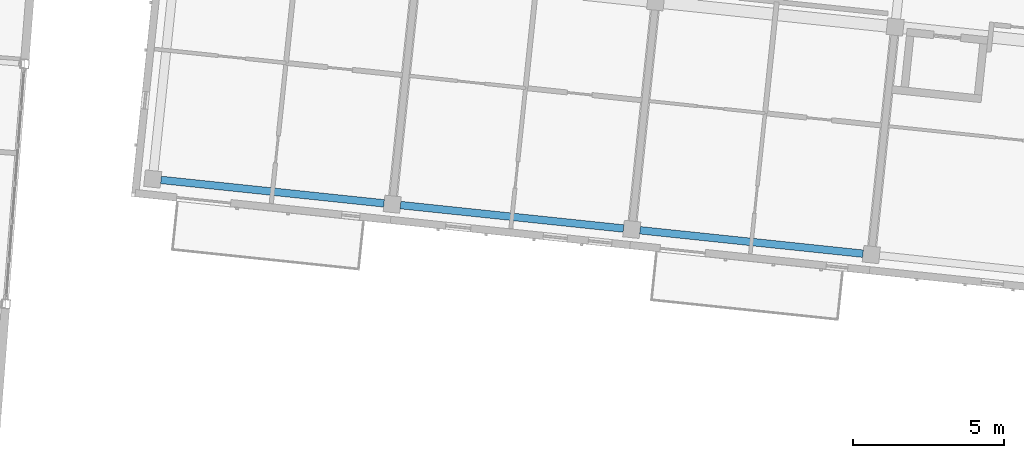
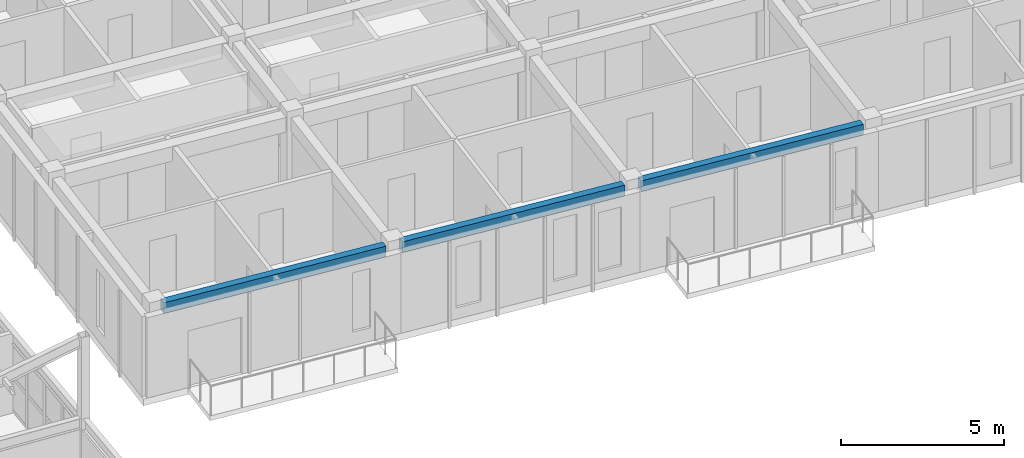
# One storey, part 43 of 127: 3 beams.
"""IFC4 building model written with IfcOpenShell, lengths in metres."""

from ifc_helpers import new_model, si_unit, direction, frame, origin, origin_2d, place, context, subcontext, project, spatial, rectangle, extrude, material, material_profile, profile_set, type_object, element, save


model = new_model("IFC4")

# Units and contexts
model_context = context("Model", 3, precision=1e-05, world=origin(), true_north=direction((0.0, 1.0)))
body_context = subcontext(model_context, "Body", "Model", "MODEL_VIEW")
ifc_project = project(units=[si_unit("LENGTHUNIT", "METRE"), si_unit("AREAUNIT", "SQUARE_METRE"), si_unit("VOLUMEUNIT", "CUBIC_METRE"), si_unit("PLANEANGLEUNIT", "RADIAN"), si_unit("MASSUNIT", "GRAM", prefix="KILO")], contexts=[model_context])

# Site, building, storey
site_placement = place(None, origin())
site = spatial("IfcSite", under=ifc_project, at=site_placement, CompositionType="ELEMENT")
building_placement = place(site_placement, origin())
building = spatial("IfcBuilding", under=site, at=building_placement, Name="Kestramere Prow Commons", CompositionType="ELEMENT")
storey_placement = place(building_placement, frame((0.0, 0.0, 8.39990234375)))
storey = spatial("IfcBuildingStorey", under=building, at=storey_placement, Name="L02", CompositionType="ELEMENT", Elevation=8.39990234375)

# Beams
ifc_material = material(Name="Precast concrete C40/50", Category="concrete")
ifc_material_profile = material_profile(ifc_material, rectangle(XDim=0.25, YDim=0.39990234375, at=origin_2d()), Name="PC-SP 250x400")
ifc_profile_set = profile_set([ifc_material_profile], Name="Precast concrete C40/50")
beam_type = type_object("IfcBeamType", Name="SP-EXT-01 PC-SP 250x400", PredefinedType="SPANDREL", material=ifc_profile_set)
for number, where, z_axis, x_axis, name in (
    (1, (110.2734375, 94.771240234375, 2.800048828125), (0.994520884665, -0.104538079019, 0.0), (0.104538079019, 0.994520884665, 0.0), "Block B L02 Longitudinal Beam 1-1"),
    (2, (118.229736328125, 93.93505859375, 2.800048828125), (0.994520884665, -0.104538079019, 0.0), (0.104538079019, 0.994520884665, 0.0), "Block B L02 Longitudinal Beam 1-2"),
    (3, (126.185791015625, 93.098876953125, 2.800048828125), (0.994520884665, -0.104538079019, 0.0), (0.104538079019, 0.994520884665, 0.0), "Block B L02 Longitudinal Beam 1-3"),
):
    element("IfcBeam", number, at=place(storey_placement, frame(where, z_axis=z_axis, x_axis=x_axis)), inside=storey, type_object=beam_type, Name=name, PredefinedType="SPANDREL", context=body_context, shape_type="SweptSolid", body=[
        extrude(rectangle(XDim=0.25, YDim=0.39990234375, at=origin_2d()), origin(), (0.0, 0.0, 1.0), 7.449951171875),
    ])

save(model, "model.ifc")
